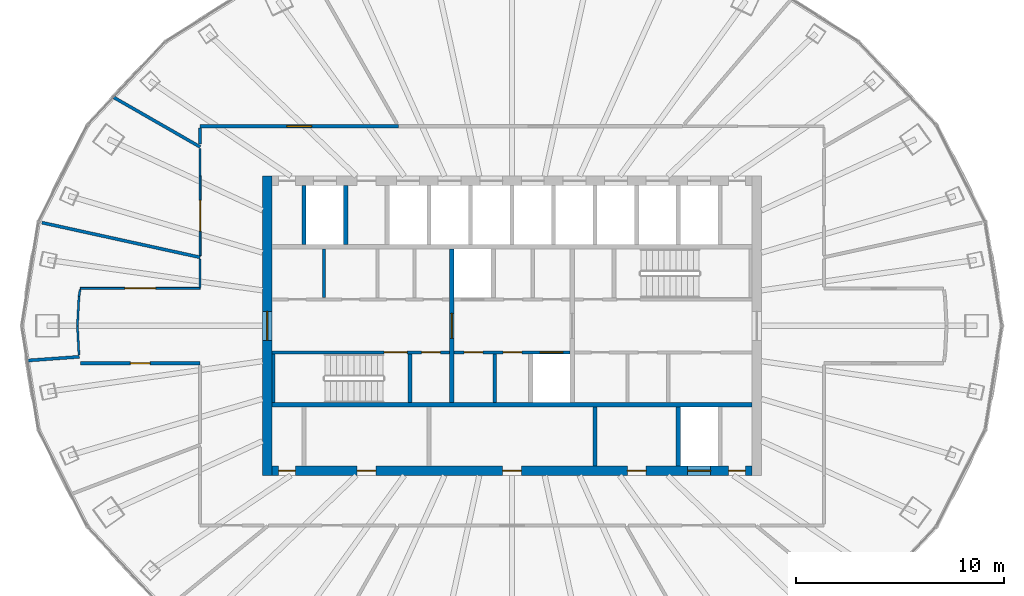
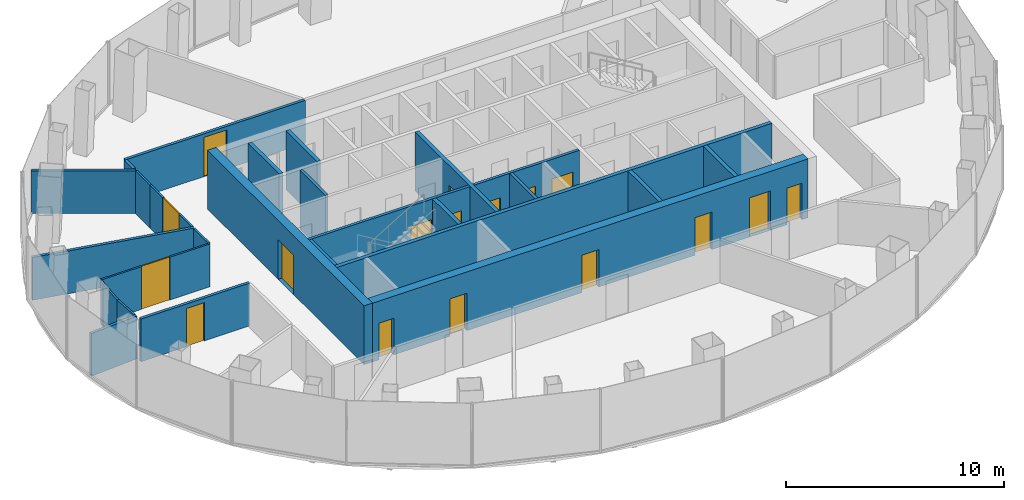
# One storey, part 9 of 13: 27 walls, 17 doors, 17 openings.
"""IFC4 building model written with IfcOpenShell, lengths in metres."""

from ifc_helpers import new_model, si_unit, direction, frame, frame_2d, origin, place, context, subcontext, project, spatial, rectangle, extrude, material, layer, layer_set, type_object, element, fill, save


model = new_model("IFC4")

# Units and contexts
model_context = context("Model", 3, precision=1e-05, world=origin(), true_north=direction((0.0, 1.0)))
body_context = subcontext(model_context, "Body", "Model", "MODEL_VIEW")
ifc_project = project(units=[si_unit("LENGTHUNIT", "METRE"), si_unit("AREAUNIT", "SQUARE_METRE"), si_unit("VOLUMEUNIT", "CUBIC_METRE"), si_unit("PLANEANGLEUNIT", "RADIAN"), si_unit("MASSUNIT", "GRAM", prefix="KILO")], contexts=[model_context])

# Site, building, storey
site_placement = place(None, origin())
site = spatial("IfcSite", under=ifc_project, at=site_placement, CompositionType="ELEMENT")
building_placement = place(site_placement, origin())
building = spatial("IfcBuilding", under=site, at=building_placement, Name="Siaravel Broadcast Tower", CompositionType="ELEMENT")
storey_placement = place(building_placement, frame((0.0, 0.0, 175.60009765625)))
storey = spatial("IfcBuildingStorey", under=building, at=storey_placement, Name="L42", CompositionType="ELEMENT", Elevation=175.60009765625)

# Walls
ifc_material_1 = material(Name="Concrete blockwork", Category="masonry")
ifc_layer_1 = layer(ifc_material_1, 0.14990234375)
ifc_layer_set_1 = layer_set([ifc_layer_1], Name="Concrete blockwork")
wall_type_1 = type_object("IfcWallType", Name="Core partition 150", PredefinedType="PARTITIONING", material=ifc_layer_set_1)
for number, where, z_axis, x_axis, name in (
    (1, (-9.044921875, 1.35009765625, 0.0), (0.0, 0.0, 1.0), (0.0, 1.0, 0.0), "L42 core partition PNW0"),
    (2, (-0.827392578125, -3.699951171875, 0.0), (0.0, 0.0, 1.0), (0.0, 1.0, 0.0), "L42 core partition PSM0"),
):
    element("IfcWall", number, at=place(storey_placement, frame(where, z_axis=z_axis, x_axis=x_axis)), inside=storey, type_object=wall_type_1, Name=name, PredefinedType="PARTITIONING", context=body_context, shape_type="SweptSolid", body=[
        extrude(rectangle(XDim=2.349853515625, YDim=0.14990234375, at=frame_2d((1.1748046875, 0.0))), origin(), (0.0, 0.0, 1.0), 3.2998046875),
    ])
ifc_layer_2 = layer(ifc_material_1, 0.199951171875)
ifc_layer_set_2 = layer_set([ifc_layer_2], Name="Concrete blockwork")
wall_type_2 = type_object("IfcWallType", Name="Core partition 200", PredefinedType="PARTITIONING", material=ifc_layer_set_2)
wall_1_placement = place(storey_placement, frame((4.0, -6.75, 0.0), z_axis=(0.0, 0.0, 1.0), x_axis=(0.0, 1.0, 0.0)))
element("IfcWall", 3, at=wall_1_placement, inside=storey, type_object=wall_type_2, Name="L42 core partition PFS3", PredefinedType="PARTITIONING", context=body_context, shape_type="SweptSolid", body=[
    extrude(rectangle(XDim=2.85009765625, YDim=0.199951171875, at=frame_2d((1.425048828125, 0.0))), origin(), (0.0, 0.0, 1.0), 3.2998046875),
])

# Wall, opening, door
ifc_material_2 = material(Name="Concrete C60/75", Category="concrete")
ifc_layer_3 = layer(ifc_material_2, 0.449951171875)
ifc_layer_set_3 = layer_set([ifc_layer_3], Name="Concrete C60/75")
wall_type_3 = type_object("IfcWallType", Name="Core wall 450", PredefinedType="SHEAR", material=ifc_layer_set_3)
wall_2_placement = place(storey_placement, frame((-11.77490234375, -7.199951171875, 0.0), z_axis=(0.0, 0.0, 1.0), x_axis=(0.0, 1.0, 0.0)))
wall_2 = element("IfcWall", 4, at=wall_2_placement, inside=storey, type_object=wall_type_3, Name="L42 core wall OW", PredefinedType="SHEAR", context=body_context, shape_type="SweptSolid", body=[
    extrude(rectangle(XDim=14.39990234375, YDim=0.449951171875, at=frame_2d((7.199951171875, 0.0))), origin(), (0.0, 0.0, 1.0), 3.2998046875),
])
opening_1_placement = place(wall_2_placement, frame((6.5, 0.0, 0.0)))
opening_1 = element("IfcOpeningElement", 5, at=opening_1_placement, cuts=wall_2, Name="Opening L42-DX-W", PredefinedType="OPENING", context=body_context, shape_type="SweptSolid", body=[
    extrude(rectangle(XDim=1.39990234375, YDim=2.199951171875, at=frame_2d((0.699951171875, 1.10009765625))), frame((0.0, 0.23486328125, 0.0), z_axis=(0.0, -1.0, 0.0), x_axis=(1.0, 0.0, 0.0)), (0.0, 0.0, 1.0), 0.469970703125),
])
ifc_material_3 = material(Name="Steel", Category="steel")
door_type_1 = type_object("IfcDoorType", Name="Core exit door 1400", OperationType="DOUBLE_DOOR_SINGLE_SWING", PredefinedType="DOOR", material=ifc_material_3)
door_1_placement = place(opening_1_placement, origin())
door_1 = element("IfcDoor", 6, at=door_1_placement, inside=storey, type_object=door_type_1, Name="L42 door DX-W", OperationType="DOUBLE_DOOR_SINGLE_SWING", OverallHeight=2.199951171875, OverallWidth=1.39990234375, PredefinedType="DOOR", context=body_context, shape_type="SweptSolid", body=[
    extrude(rectangle(XDim=1.39990234375, YDim=2.199951171875, at=frame_2d((0.699951171875, 1.10009765625))), frame((0.0, 0.02490234375, 0.0), z_axis=(0.0, -1.0, 0.0), x_axis=(1.0, 0.0, 0.0)), (0.0, 0.0, 1.0), 0.050048828125),
])
fill(opening_1, door_1)

# Wall, openings, doors
wall_3_placement = place(storey_placement, frame((-11.550048828125, -6.97509765625, 0.0), z_axis=(0.0, 0.0, 1.0), x_axis=(1.0, 0.0, 0.0)))
wall_3 = element("IfcWall", 7, at=wall_3_placement, inside=storey, type_object=wall_type_3, Name="L42 core wall OS", PredefinedType="SHEAR", context=body_context, shape_type="SweptSolid", body=[
    extrude(rectangle(XDim=23.10009765625, YDim=0.449951171875, at=frame_2d((11.550048828125, 0.0))), origin(), (0.0, 0.0, 1.0), 3.2998046875),
])
opening_2_placement = place(wall_3_placement, frame((20.0, 0.0, 0.0)))
opening_2 = element("IfcOpeningElement", 8, at=opening_2_placement, cuts=wall_3, Name="Opening LD-SV1-L42", PredefinedType="OPENING", context=body_context, shape_type="SweptSolid", body=[
    extrude(rectangle(XDim=1.10009765625, YDim=2.199951171875, at=frame_2d((0.550048828125, 1.10009765625))), frame((0.0, 0.23486328125, 0.0), z_axis=(0.0, -1.0, 0.0), x_axis=(1.0, 0.0, 0.0)), (0.0, 0.0, 1.0), 0.469970703125),
])
opening_3_placement = place(wall_3_placement, frame((4.10009765625, 0.0, 0.0)))
opening_3 = element("IfcOpeningElement", 9, at=opening_3_placement, cuts=wall_3, Name="Opening L42-DFS0", PredefinedType="OPENING", context=body_context, shape_type="SweptSolid", body=[
    extrude(rectangle(XDim=0.89990234375, YDim=2.10009765625, at=frame_2d((0.449951171875, 1.050048828125))), frame((0.0, 0.23486328125, 0.0), z_axis=(0.0, -1.0, 0.0), x_axis=(1.0, 0.0, 0.0)), (0.0, 0.0, 1.0), 0.469970703125),
])
opening_4_placement = place(wall_3_placement, frame((11.10009765625, 0.0, 0.0)))
opening_4 = element("IfcOpeningElement", 10, at=opening_4_placement, cuts=wall_3, Name="Opening L42-DFS3", PredefinedType="OPENING", context=body_context, shape_type="SweptSolid", body=[
    extrude(rectangle(XDim=0.89990234375, YDim=2.10009765625, at=frame_2d((0.449951171875, 1.050048828125))), frame((0.0, 0.23486328125, 0.0), z_axis=(0.0, -1.0, 0.0), x_axis=(1.0, 0.0, 0.0)), (0.0, 0.0, 1.0), 0.469970703125),
])
opening_5_placement = place(wall_3_placement, frame((17.10009765625, 0.0, 0.0)))
opening_5 = element("IfcOpeningElement", 11, at=opening_5_placement, cuts=wall_3, Name="Opening L42-DFS7", PredefinedType="OPENING", context=body_context, shape_type="SweptSolid", body=[
    extrude(rectangle(XDim=0.89990234375, YDim=2.10009765625, at=frame_2d((0.449951171875, 1.050048828125))), frame((0.0, 0.23486328125, 0.0), z_axis=(0.0, -1.0, 0.0), x_axis=(1.0, 0.0, 0.0)), (0.0, 0.0, 1.0), 0.469970703125),
])
opening_6_placement = place(wall_3_placement, frame((0.324951171875, 0.0, 0.0)))
opening_6 = element("IfcOpeningElement", 12, at=opening_6_placement, cuts=wall_3, Name="Opening L42-DRSW", PredefinedType="OPENING", context=body_context, shape_type="SweptSolid", body=[
    extrude(rectangle(XDim=0.800048828125, YDim=2.050048828125, at=frame_2d((0.39990234375, 1.02490234375))), frame((0.0, 0.23486328125, 0.0), z_axis=(0.0, -1.0, 0.0), x_axis=(1.0, 0.0, 0.0)), (0.0, 0.0, 1.0), 0.469970703125),
])
opening_7_placement = place(wall_3_placement, frame((21.97509765625, 0.0, 0.0)))
opening_7 = element("IfcOpeningElement", 13, at=opening_7_placement, cuts=wall_3, Name="Opening L42-DRSE", PredefinedType="OPENING", context=body_context, shape_type="SweptSolid", body=[
    extrude(rectangle(XDim=0.800048828125, YDim=2.050048828125, at=frame_2d((0.39990234375, 1.02490234375))), frame((0.0, 0.23486328125, 0.0), z_axis=(0.0, -1.0, 0.0), x_axis=(1.0, 0.0, 0.0)), (0.0, 0.0, 1.0), 0.469970703125),
])
ifc_material_4 = material(Name="Timber veneer", Category="wood")
door_type_2 = type_object("IfcDoorType", Name="Core room door 900", OperationType="SINGLE_SWING_LEFT", PredefinedType="DOOR", material=ifc_material_4)
door_2_placement = place(opening_3_placement, origin())
door_2 = element("IfcDoor", 14, at=door_2_placement, inside=storey, type_object=door_type_2, Name="L42 door DFS0", OperationType="SINGLE_SWING_LEFT", OverallHeight=2.10009765625, OverallWidth=0.89990234375, PredefinedType="DOOR", context=body_context, shape_type="SweptSolid", body=[
    extrude(rectangle(XDim=0.89990234375, YDim=2.10009765625, at=frame_2d((0.449951171875, 1.050048828125))), frame((0.0, 0.02490234375, 0.0), z_axis=(0.0, -1.0, 0.0), x_axis=(1.0, 0.0, 0.0)), (0.0, 0.0, 1.0), 0.050048828125),
])
fill(opening_3, door_2)
door_3_placement = place(opening_4_placement, origin())
door_3 = element("IfcDoor", 15, at=door_3_placement, inside=storey, type_object=door_type_2, Name="L42 door DFS3", OperationType="SINGLE_SWING_LEFT", OverallHeight=2.10009765625, OverallWidth=0.89990234375, PredefinedType="DOOR", context=body_context, shape_type="SweptSolid", body=[
    extrude(rectangle(XDim=0.89990234375, YDim=2.10009765625, at=frame_2d((0.449951171875, 1.050048828125))), frame((0.0, 0.02490234375, 0.0), z_axis=(0.0, -1.0, 0.0), x_axis=(1.0, 0.0, 0.0)), (0.0, 0.0, 1.0), 0.050048828125),
])
fill(opening_4, door_3)
door_4_placement = place(opening_5_placement, origin())
door_4 = element("IfcDoor", 16, at=door_4_placement, inside=storey, type_object=door_type_2, Name="L42 door DFS7", OperationType="SINGLE_SWING_LEFT", OverallHeight=2.10009765625, OverallWidth=0.89990234375, PredefinedType="DOOR", context=body_context, shape_type="SweptSolid", body=[
    extrude(rectangle(XDim=0.89990234375, YDim=2.10009765625, at=frame_2d((0.449951171875, 1.050048828125))), frame((0.0, 0.02490234375, 0.0), z_axis=(0.0, -1.0, 0.0), x_axis=(1.0, 0.0, 0.0)), (0.0, 0.0, 1.0), 0.050048828125),
])
fill(opening_5, door_4)
door_type_3 = type_object("IfcDoorType", Name="Riser door 800", OperationType="SINGLE_SWING_LEFT", PredefinedType="DOOR", material=ifc_material_3)
door_5_placement = place(opening_6_placement, origin())
door_5 = element("IfcDoor", 17, at=door_5_placement, inside=storey, type_object=door_type_3, Name="L42 door DRSW", OperationType="SINGLE_SWING_LEFT", OverallHeight=2.050048828125, OverallWidth=0.800048828125, PredefinedType="DOOR", context=body_context, shape_type="SweptSolid", body=[
    extrude(rectangle(XDim=0.800048828125, YDim=2.050048828125, at=frame_2d((0.39990234375, 1.02490234375))), frame((0.0, 0.02490234375, 0.0), z_axis=(0.0, -1.0, 0.0), x_axis=(1.0, 0.0, 0.0)), (0.0, 0.0, 1.0), 0.050048828125),
])
fill(opening_6, door_5)
door_6_placement = place(opening_7_placement, origin())
door_6 = element("IfcDoor", 18, at=door_6_placement, inside=storey, type_object=door_type_3, Name="L42 door DRSE", OperationType="SINGLE_SWING_LEFT", OverallHeight=2.050048828125, OverallWidth=0.800048828125, PredefinedType="DOOR", context=body_context, shape_type="SweptSolid", body=[
    extrude(rectangle(XDim=0.800048828125, YDim=2.050048828125, at=frame_2d((0.39990234375, 1.02490234375))), frame((0.0, 0.02490234375, 0.0), z_axis=(0.0, -1.0, 0.0), x_axis=(1.0, 0.0, 0.0)), (0.0, 0.0, 1.0), 0.050048828125),
])
fill(opening_7, door_6)
ifc_material_5 = material(Name="Stainless steel 316L", Category="steel")
door_type_4 = type_object("IfcDoorType", Name="Service lift landing door 1100", OperationType="DOUBLE_DOOR_SLIDING", PredefinedType="DOOR", material=ifc_material_5)
door_7_placement = place(opening_2_placement, origin())
door_7 = element("IfcDoor", 19, at=door_7_placement, inside=storey, type_object=door_type_4, Name="Landing door SV1 L42", OperationType="DOUBLE_DOOR_SLIDING", OverallHeight=2.199951171875, OverallWidth=1.10009765625, PredefinedType="DOOR", context=body_context, shape_type="SweptSolid", body=[
    extrude(rectangle(XDim=1.10009765625, YDim=2.199951171875, at=frame_2d((0.550048828125, 1.10009765625))), frame((0.0, 0.02490234375, 0.0), z_axis=(0.0, -1.0, 0.0), x_axis=(1.0, 0.0, 0.0)), (0.0, 0.0, 1.0), 0.050048828125),
])
fill(opening_2, door_7)

# Wall, opening, door
ifc_material_6 = material(Name="Gypsum board partition", Category="gypsum")
ifc_layer_4 = layer(ifc_material_6, 0.14990234375)
ifc_layer_set_4 = layer_set([ifc_layer_4], Name="Gypsum board partition")
wall_type_4 = type_object("IfcWallType", Name="Corridor wall 150", PredefinedType="PARTITIONING", material=ifc_layer_set_4)
wall_4_placement = place(storey_placement, frame((-5.46630859375, 9.60009765625, 0.0), z_axis=(0.0, 0.0, 1.0), x_axis=(-1.0, 0.0, 0.0)))
wall_4 = element("IfcWall", 20, at=wall_4_placement, inside=storey, type_object=wall_type_4, Name="L42 partition 3", PredefinedType="PARTITIONING", context=body_context, shape_type="SweptSolid", body=[
    extrude(rectangle(XDim=9.53369140625, YDim=0.14990234375, at=frame_2d((4.766845703125, 0.0))), origin(), (0.0, 0.0, 1.0), 2.39990234375),
])
opening_8_placement = place(wall_4_placement, frame((4.1669921875, 0.0, 0.0)))
opening_8 = element("IfcOpeningElement", 21, at=opening_8_placement, cuts=wall_4, Name="Opening L42-009", PredefinedType="OPENING", context=body_context, shape_type="SweptSolid", body=[
    extrude(rectangle(XDim=1.199951171875, YDim=2.199951171875, at=frame_2d((0.60009765625, 1.10009765625))), frame((0.0, 0.0849609375, 0.0), z_axis=(0.0, -1.0, 0.0), x_axis=(1.0, 0.0, 0.0)), (0.0, 0.0, 1.0), 0.169921875),
])
door_type_5 = type_object("IfcDoorType", Name="Office double door 1200", OperationType="DOUBLE_DOOR_SINGLE_SWING", PredefinedType="DOOR", material=ifc_material_4)
door_8_placement = place(opening_8_placement, origin())
door_8 = element("IfcDoor", 22, at=door_8_placement, inside=storey, type_object=door_type_5, Name="L42 door to Open plan office", OperationType="DOUBLE_DOOR_SINGLE_SWING", OverallHeight=2.199951171875, OverallWidth=1.199951171875, PredefinedType="DOOR", context=body_context, shape_type="SweptSolid", body=[
    extrude(rectangle(XDim=1.199951171875, YDim=2.199951171875, at=frame_2d((0.60009765625, 1.10009765625))), frame((0.0, 0.02490234375, 0.0), z_axis=(0.0, -1.0, 0.0), x_axis=(1.0, 0.0, 0.0)), (0.0, 0.0, 1.0), 0.050048828125),
])
fill(opening_8, door_8)

wall_5_placement = place(storey_placement, frame((-20.766357421875, -1.800048828125, 0.0), z_axis=(0.0, 0.0, 1.0), x_axis=(1.0, 0.0, 0.0)))
wall_5 = element("IfcWall", 23, at=wall_5_placement, inside=storey, type_object=wall_type_4, Name="L42 partition 16", PredefinedType="PARTITIONING", context=body_context, shape_type="SweptSolid", body=[
    extrude(rectangle(XDim=5.766357421875, YDim=0.14990234375, at=frame_2d((2.88330078125, 0.0))), origin(), (0.0, 0.0, 1.0), 2.39990234375),
])
opening_9_placement = place(wall_5_placement, frame((2.408203125, 0.0, 0.0)))
opening_9 = element("IfcOpeningElement", 24, at=opening_9_placement, cuts=wall_5, Name="Opening L42-012", PredefinedType="OPENING", context=body_context, shape_type="SweptSolid", body=[
    extrude(rectangle(XDim=0.949951171875, YDim=2.14990234375, at=frame_2d((0.47509765625, 1.074951171875))), frame((0.0, 0.0849609375, 0.0), z_axis=(0.0, -1.0, 0.0), x_axis=(1.0, 0.0, 0.0)), (0.0, 0.0, 1.0), 0.169921875),
])
door_type_6 = type_object("IfcDoorType", Name="Office door 950", OperationType="SINGLE_SWING_LEFT", PredefinedType="DOOR", material=ifc_material_4)
door_9_placement = place(opening_9_placement, origin())
door_9 = element("IfcDoor", 25, at=door_9_placement, inside=storey, type_object=door_type_6, Name="L42 door to Reception", OperationType="SINGLE_SWING_RIGHT", OverallHeight=2.14990234375, OverallWidth=0.949951171875, PredefinedType="DOOR", context=body_context, shape_type="SweptSolid", body=[
    extrude(rectangle(XDim=0.949951171875, YDim=2.14990234375, at=frame_2d((0.47509765625, 1.074951171875))), frame((0.0, 0.02490234375, 0.0), z_axis=(0.0, -1.0, 0.0), x_axis=(1.0, 0.0, 0.0)), (0.0, 0.0, 1.0), 0.050048828125),
])
fill(opening_9, door_9)

# Wall
wall_6_placement = place(storey_placement, frame((-15.0, 9.52294921875, 0.0), z_axis=(0.0, 0.0, 1.0), x_axis=(0.0, -1.0, 0.0)))
element("IfcWall", 26, at=wall_6_placement, inside=storey, type_object=wall_type_4, Name="L42 partition 41", PredefinedType="PARTITIONING", context=body_context, shape_type="SweptSolid", body=[
    extrude(rectangle(XDim=0.788330078125, YDim=0.14990234375, at=frame_2d((0.39404296875, 0.0))), origin(), (0.0, 0.0, 1.0), 2.39990234375),
])

# Wall, opening, door
ifc_material_7 = material(Name="Glazed aluminium partition", Category="aluminium")
ifc_layer_5 = layer(ifc_material_7, 0.10009765625)
ifc_layer_set_5 = layer_set([ifc_layer_5], Name="Glazed aluminium partition")
wall_type_5 = type_object("IfcWallType", Name="Glazed meeting room partition 100", PredefinedType="PARTITIONING", material=ifc_layer_set_5)
wall_7_placement = place(storey_placement, frame((-15.0, 1.800048828125, 0.0), z_axis=(0.0, 0.0, 1.0), x_axis=(-1.0, 0.0, 0.0)))
wall_7 = element("IfcWall", 27, at=wall_7_placement, inside=storey, type_object=wall_type_5, Name="L42 partition 17", PredefinedType="PARTITIONING", context=body_context, shape_type="SweptSolid", body=[
    extrude(rectangle(XDim=5.766357421875, YDim=0.10009765625, at=frame_2d((2.88330078125, 0.0))), origin(), (0.0, 0.0, 1.0), 2.39990234375),
])
opening_10_placement = place(wall_7_placement, frame((2.13330078125, 0.0, 0.0)))
opening_10 = element("IfcOpeningElement", 28, at=opening_10_placement, cuts=wall_7, Name="Opening L42-011", PredefinedType="OPENING", context=body_context, shape_type="SweptSolid", body=[
    extrude(rectangle(XDim=1.5, YDim=2.39990234375, at=frame_2d((0.75, 1.199951171875))), frame((0.0, 0.06005859375, 0.0), z_axis=(0.0, -1.0, 0.0), x_axis=(1.0, 0.0, 0.0)), (0.0, 0.0, 1.0), 0.1201171875),
])
door_type_7 = type_object("IfcDoorType", Name="Conference double door 1500", OperationType="DOUBLE_DOOR_SINGLE_SWING", PredefinedType="DOOR", material=ifc_material_4)
door_10_placement = place(opening_10_placement, origin())
door_10 = element("IfcDoor", 29, at=door_10_placement, inside=storey, type_object=door_type_7, Name="L42 door to Boardroom", OperationType="DOUBLE_DOOR_SINGLE_SWING", OverallHeight=2.39990234375, OverallWidth=1.5, PredefinedType="DOOR", context=body_context, shape_type="SweptSolid", body=[
    extrude(rectangle(XDim=1.5, YDim=2.39990234375, at=frame_2d((0.75, 1.199951171875))), frame((0.0, 0.02490234375, 0.0), z_axis=(0.0, -1.0, 0.0), x_axis=(1.0, 0.0, 0.0)), (0.0, 0.0, 1.0), 0.050048828125),
])
fill(opening_10, door_10)

wall_8_placement = place(storey_placement, frame((-15.0, 7.2119140625, 0.0), z_axis=(0.0, 0.0, 1.0), x_axis=(0.0, -1.0, 0.0)))
wall_8 = element("IfcWall", 30, at=wall_8_placement, inside=storey, type_object=wall_type_5, Name="L42 partition 24", PredefinedType="PARTITIONING", context=body_context, shape_type="SweptSolid", body=[
    extrude(rectangle(XDim=3.830078125, YDim=0.10009765625, at=frame_2d((1.9150390625, 0.0))), origin(), (0.0, 0.0, 1.0), 2.39990234375),
])
opening_11_placement = place(wall_8_placement, frame((1.1650390625, 0.0, 0.0)))
opening_11 = element("IfcOpeningElement", 31, at=opening_11_placement, cuts=wall_8, Name="Opening L42-010", PredefinedType="OPENING", context=body_context, shape_type="SweptSolid", body=[
    extrude(rectangle(XDim=1.5, YDim=2.39990234375, at=frame_2d((0.75, 1.199951171875))), frame((0.0, 0.06005859375, 0.0), z_axis=(0.0, -1.0, 0.0), x_axis=(1.0, 0.0, 0.0)), (0.0, 0.0, 1.0), 0.1201171875),
])
door_11_placement = place(opening_11_placement, origin())
door_11 = element("IfcDoor", 32, at=door_11_placement, inside=storey, type_object=door_type_7, Name="L42 door to Boardroom", OperationType="DOUBLE_DOOR_SINGLE_SWING", OverallHeight=2.39990234375, OverallWidth=1.5, PredefinedType="DOOR", context=body_context, shape_type="SweptSolid", body=[
    extrude(rectangle(XDim=1.5, YDim=2.39990234375, at=frame_2d((0.75, 1.199951171875))), frame((0.0, 0.02490234375, 0.0), z_axis=(0.0, -1.0, 0.0), x_axis=(1.0, 0.0, 0.0)), (0.0, 0.0, 1.0), 0.050048828125),
])
fill(opening_11, door_11)

# Walls
wall_9_placement = place(storey_placement, frame((-20.905029296875, 0.0, 0.0), z_axis=(0.0, 0.0, 1.0), x_axis=(0.053227869, -0.998582392, 0.0)))
element("IfcWall", 33, at=wall_9_placement, inside=storey, type_object=wall_type_5, Name="L42 partition 32", PredefinedType="PARTITIONING", context=body_context, shape_type="SweptSolid", body=[
    extrude(rectangle(XDim=1.417236328125, YDim=0.10009765625, at=frame_2d((0.70849609375, 0.0))), origin(), (0.0, 0.0, 1.0), 2.39990234375),
])
wall_10_placement = place(storey_placement, frame((-15.0, 3.216796875, 0.0), z_axis=(0.0, 0.0, 1.0), x_axis=(0.0, -1.0, 0.0)))
element("IfcWall", 34, at=wall_10_placement, inside=storey, type_object=wall_type_5, Name="L42 partition 33", PredefinedType="PARTITIONING", context=body_context, shape_type="SweptSolid", body=[
    extrude(rectangle(XDim=1.36474609375, YDim=0.10009765625, at=frame_2d((0.682373046875, 0.0))), origin(), (0.0, 0.0, 1.0), 2.39990234375),
])
wall_11_placement = place(storey_placement, frame((-15.0, 8.5361328125, 0.0), z_axis=(0.0, 0.0, 1.0), x_axis=(0.0, -1.0, 0.0)))
element("IfcWall", 35, at=wall_11_placement, inside=storey, type_object=wall_type_5, Name="L42 partition 36", PredefinedType="PARTITIONING", context=body_context, shape_type="SweptSolid", body=[
    extrude(rectangle(XDim=1.3232421875, YDim=0.10009765625, at=frame_2d((0.66162109375, 0.0))), origin(), (0.0, 0.0, 1.0), 2.39990234375),
])
wall_12_placement = place(storey_placement, frame((-20.830322265625, 1.4013671875, 0.0), z_axis=(0.0, 0.0, 1.0), x_axis=(-0.053234513, -0.998582038, 0.0)))
element("IfcWall", 36, at=wall_12_placement, inside=storey, type_object=wall_type_5, Name="L42 partition 38", PredefinedType="PARTITIONING", context=body_context, shape_type="SweptSolid", body=[
    extrude(rectangle(XDim=1.4033203125, YDim=0.10009765625, at=frame_2d((0.70166015625, 0.0))), origin(), (0.0, 0.0, 1.0), 2.39990234375),
])
wall_13_placement = place(storey_placement, frame((-20.7744140625, 1.749267578125, 0.0), z_axis=(0.0, 0.0, 1.0), x_axis=(-0.158666034, -0.98733231, 0.0)))
element("IfcWall", 37, at=wall_13_placement, inside=storey, type_object=wall_type_5, Name="L42 partition 43", PredefinedType="PARTITIONING", context=body_context, shape_type="SweptSolid", body=[
    extrude(rectangle(XDim=0.352294921875, YDim=0.10009765625, at=frame_2d((0.17626953125, 0.0))), origin(), (0.0, 0.0, 1.0), 2.39990234375),
])
ifc_layer_6 = layer(ifc_material_6, 0.14990234375)
ifc_layer_set_6 = layer_set([ifc_layer_6], Name="Gypsum board partition")
wall_type_6 = type_object("IfcWallType", Name="Room partition 150", PredefinedType="PARTITIONING", material=ifc_layer_set_6)
wall_14_placement = place(storey_placement, frame((-22.60986328125, 4.96240234375, 0.0), z_axis=(0.0, 0.0, 1.0), x_axis=(0.976752185, -0.214371566, 0.0)))
element("IfcWall", 38, at=wall_14_placement, inside=storey, type_object=wall_type_6, Name="L42 partition 7", PredefinedType="PARTITIONING", context=body_context, shape_type="SweptSolid", body=[
    extrude(rectangle(XDim=7.791015625, YDim=0.14990234375, at=frame_2d((3.8955078125, 0.0))), origin(), (0.0, 0.0, 1.0), 2.39990234375),
])
wall_15_placement = place(storey_placement, frame((-19.168701171875, 10.994140625, 0.0), z_axis=(0.0, 0.0, 1.0), x_axis=(0.867457349, -0.497511556, 0.0)))
element("IfcWall", 39, at=wall_15_placement, inside=storey, type_object=wall_type_6, Name="L42 partition 21", PredefinedType="PARTITIONING", context=body_context, shape_type="SweptSolid", body=[
    extrude(rectangle(XDim=4.8056640625, YDim=0.14990234375, at=frame_2d((2.40283203125, 0.0))), origin(), (0.0, 0.0, 1.0), 2.39990234375),
])
wall_16_placement = place(storey_placement, frame((-23.319091796875, -1.671142578125, 0.0), z_axis=(0.0, 0.0, 1.0), x_axis=(0.997440396, 0.071502847, 0.0)))
element("IfcWall", 40, at=wall_16_placement, inside=storey, type_object=wall_type_6, Name="L42 partition 28", PredefinedType="PARTITIONING", context=body_context, shape_type="SweptSolid", body=[
    extrude(rectangle(XDim=2.509521484375, YDim=0.14990234375, at=frame_2d((1.2548828125, 0.0))), origin(), (0.0, 0.0, 1.0), 2.39990234375),
])

# Wall, openings, doors
ifc_layer_7 = layer(ifc_material_2, 0.14990234375)
ifc_layer_set_7 = layer_set([ifc_layer_7], Name="Concrete C60/75")
wall_type_7 = type_object("IfcWallType", Name="Shaft wall 150", PredefinedType="SHEAR", material=ifc_layer_set_7)
wall_17_placement = place(storey_placement, frame((-11.550048828125, -1.27490234375, 0.0), z_axis=(0.0, 0.0, 1.0), x_axis=(1.0, 0.0, 0.0)))
wall_17 = element("IfcWall", 41, at=wall_17_placement, inside=storey, type_object=wall_type_7, Name="L42 core wall CSW", PredefinedType="SHEAR", context=body_context, shape_type="SweptSolid", body=[
    extrude(rectangle(XDim=8.550048828125, YDim=0.14990234375, at=frame_2d((4.27490234375, 0.0))), origin(), (0.0, 0.0, 1.0), 3.2998046875),
])
opening_12_placement = place(wall_17_placement, frame((5.39990234375, 0.0, 0.0)))
opening_12 = element("IfcOpeningElement", 42, at=opening_12_placement, cuts=wall_17, Name="Opening L42-DS-1", PredefinedType="OPENING", context=body_context, shape_type="SweptSolid", body=[
    extrude(rectangle(XDim=1.10009765625, YDim=2.14990234375, at=frame_2d((0.550048828125, 1.074951171875))), frame((0.0, 0.0849609375, 0.0), z_axis=(0.0, -1.0, 0.0), x_axis=(1.0, 0.0, 0.0)), (0.0, 0.0, 1.0), 0.169921875),
])
opening_13_placement = place(wall_17_placement, frame((7.199951171875, 0.0, 0.0)))
opening_13 = element("IfcOpeningElement", 43, at=opening_13_placement, cuts=wall_17, Name="Opening L42-DSW0", PredefinedType="OPENING", context=body_context, shape_type="SweptSolid", body=[
    extrude(rectangle(XDim=0.89990234375, YDim=2.10009765625, at=frame_2d((0.449951171875, 1.050048828125))), frame((0.0, 0.0849609375, 0.0), z_axis=(0.0, -1.0, 0.0), x_axis=(1.0, 0.0, 0.0)), (0.0, 0.0, 1.0), 0.169921875),
])
door_12_placement = place(opening_13_placement, origin())
door_12 = element("IfcDoor", 44, at=door_12_placement, inside=storey, type_object=door_type_2, Name="L42 door DSW0", OperationType="SINGLE_SWING_LEFT", OverallHeight=2.10009765625, OverallWidth=0.89990234375, PredefinedType="DOOR", context=body_context, shape_type="SweptSolid", body=[
    extrude(rectangle(XDim=0.89990234375, YDim=2.10009765625, at=frame_2d((0.449951171875, 1.050048828125))), frame((0.0, 0.02490234375, 0.0), z_axis=(0.0, -1.0, 0.0), x_axis=(1.0, 0.0, 0.0)), (0.0, 0.0, 1.0), 0.050048828125),
])
fill(opening_13, door_12)
door_type_8 = type_object("IfcDoorType", Name="Stair door 1100", OperationType="SINGLE_SWING_LEFT", PredefinedType="DOOR", material=ifc_material_3)
door_13_placement = place(opening_12_placement, origin())
door_13 = element("IfcDoor", 45, at=door_13_placement, inside=storey, type_object=door_type_8, Name="L42 door DS-1", OperationType="SINGLE_SWING_LEFT", OverallHeight=2.14990234375, OverallWidth=1.10009765625, PredefinedType="DOOR", context=body_context, shape_type="SweptSolid", body=[
    extrude(rectangle(XDim=1.10009765625, YDim=2.14990234375, at=frame_2d((0.550048828125, 1.074951171875))), frame((0.0, 0.02490234375, 0.0), z_axis=(0.0, -1.0, 0.0), x_axis=(1.0, 0.0, 0.0)), (0.0, 0.0, 1.0), 0.050048828125),
])
fill(opening_12, door_13)

wall_18_placement = place(storey_placement, frame((-2.800048828125, -1.27490234375, 0.0), z_axis=(0.0, 0.0, 1.0), x_axis=(1.0, 0.0, 0.0)))
wall_18 = element("IfcWall", 46, at=wall_18_placement, inside=storey, type_object=wall_type_7, Name="L42 core wall CSM", PredefinedType="SHEAR", context=body_context, shape_type="SweptSolid", body=[
    extrude(rectangle(XDim=5.60009765625, YDim=0.14990234375, at=frame_2d((2.800048828125, 0.0))), origin(), (0.0, 0.0, 1.0), 3.2998046875),
])
opening_14_placement = place(wall_18_placement, frame((4.14990234375, 0.0, 0.0)))
opening_14 = element("IfcOpeningElement", 47, at=opening_14_placement, cuts=wall_18, Name="Opening LD-FL2-L42", PredefinedType="OPENING", context=body_context, shape_type="SweptSolid", body=[
    extrude(rectangle(XDim=1.10009765625, YDim=2.199951171875, at=frame_2d((0.550048828125, 1.10009765625))), frame((0.0, 0.0849609375, 0.0), z_axis=(0.0, -1.0, 0.0), x_axis=(1.0, 0.0, 0.0)), (0.0, 0.0, 1.0), 0.169921875),
])
opening_15_placement = place(wall_18_placement, frame((0.498779296875, 0.0, 0.0)))
opening_15 = element("IfcOpeningElement", 48, at=opening_15_placement, cuts=wall_18, Name="Opening L42-DSM0", PredefinedType="OPENING", context=body_context, shape_type="SweptSolid", body=[
    extrude(rectangle(XDim=0.89990234375, YDim=2.10009765625, at=frame_2d((0.449951171875, 1.050048828125))), frame((0.0, 0.0849609375, 0.0), z_axis=(0.0, -1.0, 0.0), x_axis=(1.0, 0.0, 0.0)), (0.0, 0.0, 1.0), 0.169921875),
])
opening_16_placement = place(wall_18_placement, frame((2.373779296875, 0.0, 0.0)))
opening_16 = element("IfcOpeningElement", 49, at=opening_16_placement, cuts=wall_18, Name="Opening L42-DSM1", PredefinedType="OPENING", context=body_context, shape_type="SweptSolid", body=[
    extrude(rectangle(XDim=0.89990234375, YDim=2.10009765625, at=frame_2d((0.449951171875, 1.050048828125))), frame((0.0, 0.0849609375, 0.0), z_axis=(0.0, -1.0, 0.0), x_axis=(1.0, 0.0, 0.0)), (0.0, 0.0, 1.0), 0.169921875),
])
door_14_placement = place(opening_15_placement, origin())
door_14 = element("IfcDoor", 50, at=door_14_placement, inside=storey, type_object=door_type_2, Name="L42 door DSM0", OperationType="SINGLE_SWING_LEFT", OverallHeight=2.10009765625, OverallWidth=0.89990234375, PredefinedType="DOOR", context=body_context, shape_type="SweptSolid", body=[
    extrude(rectangle(XDim=0.89990234375, YDim=2.10009765625, at=frame_2d((0.449951171875, 1.050048828125))), frame((0.0, 0.02490234375, 0.0), z_axis=(0.0, -1.0, 0.0), x_axis=(1.0, 0.0, 0.0)), (0.0, 0.0, 1.0), 0.050048828125),
])
fill(opening_15, door_14)
door_15_placement = place(opening_16_placement, origin())
door_15 = element("IfcDoor", 51, at=door_15_placement, inside=storey, type_object=door_type_2, Name="L42 door DSM1", OperationType="SINGLE_SWING_LEFT", OverallHeight=2.10009765625, OverallWidth=0.89990234375, PredefinedType="DOOR", context=body_context, shape_type="SweptSolid", body=[
    extrude(rectangle(XDim=0.89990234375, YDim=2.10009765625, at=frame_2d((0.449951171875, 1.050048828125))), frame((0.0, 0.02490234375, 0.0), z_axis=(0.0, -1.0, 0.0), x_axis=(1.0, 0.0, 0.0)), (0.0, 0.0, 1.0), 0.050048828125),
])
fill(opening_16, door_15)
door_type_9 = type_object("IfcDoorType", Name="Firefighting lift landing door 1100", OperationType="DOUBLE_DOOR_SLIDING", PredefinedType="DOOR", material=ifc_material_5)
door_16_placement = place(opening_14_placement, origin())
door_16 = element("IfcDoor", 52, at=door_16_placement, inside=storey, type_object=door_type_9, Name="Landing door FL2 L42", OperationType="DOUBLE_DOOR_SLIDING", OverallHeight=2.199951171875, OverallWidth=1.10009765625, PredefinedType="DOOR", context=body_context, shape_type="SweptSolid", body=[
    extrude(rectangle(XDim=1.10009765625, YDim=2.199951171875, at=frame_2d((0.550048828125, 1.10009765625))), frame((0.0, 0.02490234375, 0.0), z_axis=(0.0, -1.0, 0.0), x_axis=(1.0, 0.0, 0.0)), (0.0, 0.0, 1.0), 0.050048828125),
])
fill(opening_14, door_16)

# Walls
wall_19_placement = place(storey_placement, frame((-11.47509765625, -3.699951171875, 0.0), z_axis=(0.0, 0.0, 1.0), x_axis=(0.0, 1.0, 0.0)))
element("IfcWall", 53, at=wall_19_placement, inside=storey, type_object=wall_type_7, Name="L42 core wall ST1W", PredefinedType="SHEAR", context=body_context, shape_type="SweptSolid", body=[
    extrude(rectangle(XDim=2.349853515625, YDim=0.14990234375, at=frame_2d((1.1748046875, 0.0))), origin(), (0.0, 0.0, 1.0), 3.2998046875),
])
ifc_layer_8 = layer(ifc_material_2, 0.199951171875)
ifc_layer_set_8 = layer_set([ifc_layer_8], Name="Concrete C60/75")
wall_type_8 = type_object("IfcWallType", Name="Shaft wall 200", PredefinedType="SHEAR", material=ifc_layer_set_8)
wall_20_placement = place(storey_placement, frame((-11.550048828125, -3.800048828125, 0.0), z_axis=(0.0, 0.0, 1.0), x_axis=(1.0, 0.0, 0.0)))
element("IfcWall", 54, at=wall_20_placement, inside=storey, type_object=wall_type_8, Name="L42 core wall BS", PredefinedType="SHEAR", context=body_context, shape_type="SweptSolid", body=[
    extrude(rectangle(XDim=23.10009765625, YDim=0.199951171875, at=frame_2d((11.550048828125, 0.0))), origin(), (0.0, 0.0, 1.0), 3.2998046875),
])
for number, where, z_axis, x_axis, name in (
    (55, (8.0, -6.75, 0.0), (0.0, 0.0, 1.0), (0.0, 1.0, 0.0), "L42 core wall SWS9"),
    (56, (-10.0, 3.89990234375, 0.0), (0.0, 0.0, 1.0), (0.0, 1.0, 0.0), "L42 core wall SWN0"),
    (57, (-8.0, 3.89990234375, 0.0), (0.0, 0.0, 1.0), (0.0, 1.0, 0.0), "L42 core wall SWN1"),
):
    element("IfcWall", number, at=place(storey_placement, frame(where, z_axis=z_axis, x_axis=x_axis)), inside=storey, type_object=wall_type_8, Name=name, PredefinedType="SHEAR", context=body_context, shape_type="SweptSolid", body=[
        extrude(rectangle(XDim=2.85009765625, YDim=0.199951171875, at=frame_2d((1.425048828125, 0.0))), origin(), (0.0, 0.0, 1.0), 3.2998046875),
    ])

# Wall, opening, door
wall_21_placement = place(storey_placement, frame((-2.89990234375, -3.699951171875, 0.0), z_axis=(0.0, 0.0, 1.0), x_axis=(0.0, 1.0, 0.0)))
wall_21 = element("IfcWall", 58, at=wall_21_placement, inside=storey, type_object=wall_type_8, Name="L42 core wall LW", PredefinedType="SHEAR", context=body_context, shape_type="SweptSolid", body=[
    extrude(rectangle(XDim=7.39990234375, YDim=0.199951171875, at=frame_2d((3.699951171875, 0.0))), origin(), (0.0, 0.0, 1.0), 3.2998046875),
])
opening_17_placement = place(wall_21_placement, frame((3.10009765625, 0.0, 0.0)))
opening_17 = element("IfcOpeningElement", 59, at=opening_17_placement, cuts=wall_21, Name="Opening L42-DL-W", PredefinedType="OPENING", context=body_context, shape_type="SweptSolid", body=[
    extrude(rectangle(XDim=1.199951171875, YDim=2.199951171875, at=frame_2d((0.60009765625, 1.10009765625))), frame((0.0, 0.10986328125, 0.0), z_axis=(0.0, -1.0, 0.0), x_axis=(1.0, 0.0, 0.0)), (0.0, 0.0, 1.0), 0.219970703125),
])
door_type_10 = type_object("IfcDoorType", Name="Firefighting lobby door 1200", OperationType="SINGLE_SWING_LEFT", PredefinedType="DOOR", material=ifc_material_3)
door_17_placement = place(opening_17_placement, origin())
door_17 = element("IfcDoor", 60, at=door_17_placement, inside=storey, type_object=door_type_10, Name="L42 door DL-W", OperationType="SINGLE_SWING_LEFT", OverallHeight=2.199951171875, OverallWidth=1.199951171875, PredefinedType="DOOR", context=body_context, shape_type="SweptSolid", body=[
    extrude(rectangle(XDim=1.199951171875, YDim=2.199951171875, at=frame_2d((0.60009765625, 1.10009765625))), frame((0.0, 0.02490234375, 0.0), z_axis=(0.0, -1.0, 0.0), x_axis=(1.0, 0.0, 0.0)), (0.0, 0.0, 1.0), 0.050048828125),
])
fill(opening_17, door_17)

# Wall
wall_22_placement = place(storey_placement, frame((-4.89990234375, -3.699951171875, 0.0), z_axis=(0.0, 0.0, 1.0), x_axis=(0.0, 1.0, 0.0)))
element("IfcWall", 61, at=wall_22_placement, inside=storey, type_object=wall_type_8, Name="L42 core wall ST1E", PredefinedType="SHEAR", context=body_context, shape_type="SweptSolid", body=[
    extrude(rectangle(XDim=2.349853515625, YDim=0.199951171875, at=frame_2d((1.1748046875, 0.0))), origin(), (0.0, 0.0, 1.0), 3.2998046875),
])

save(model, "model.ifc")
